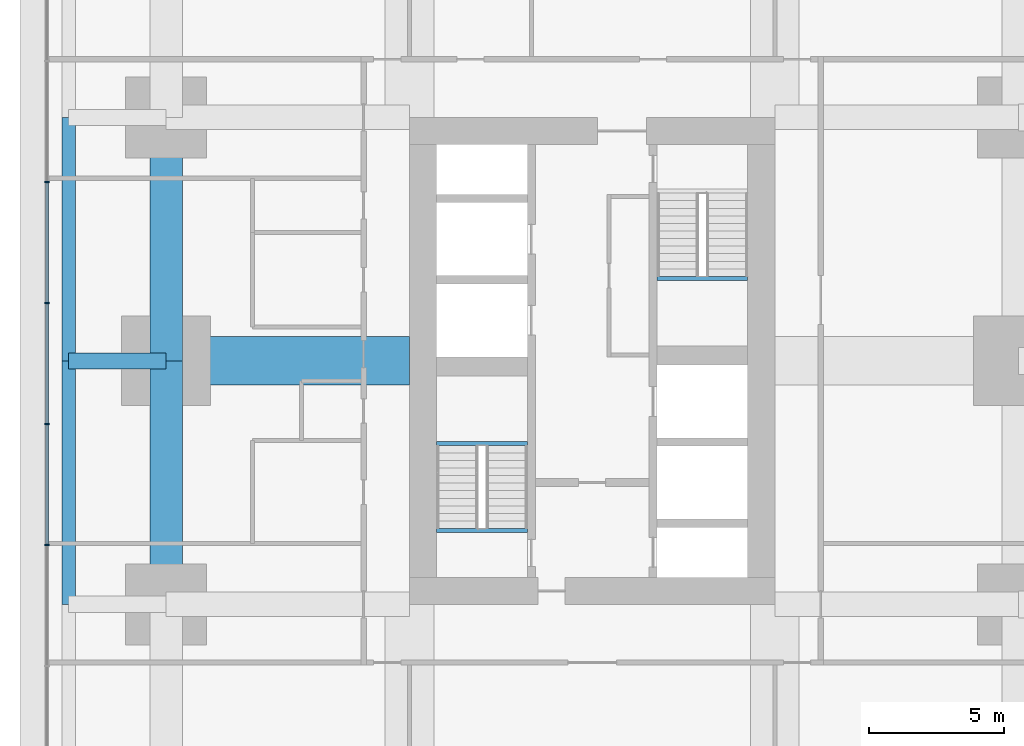
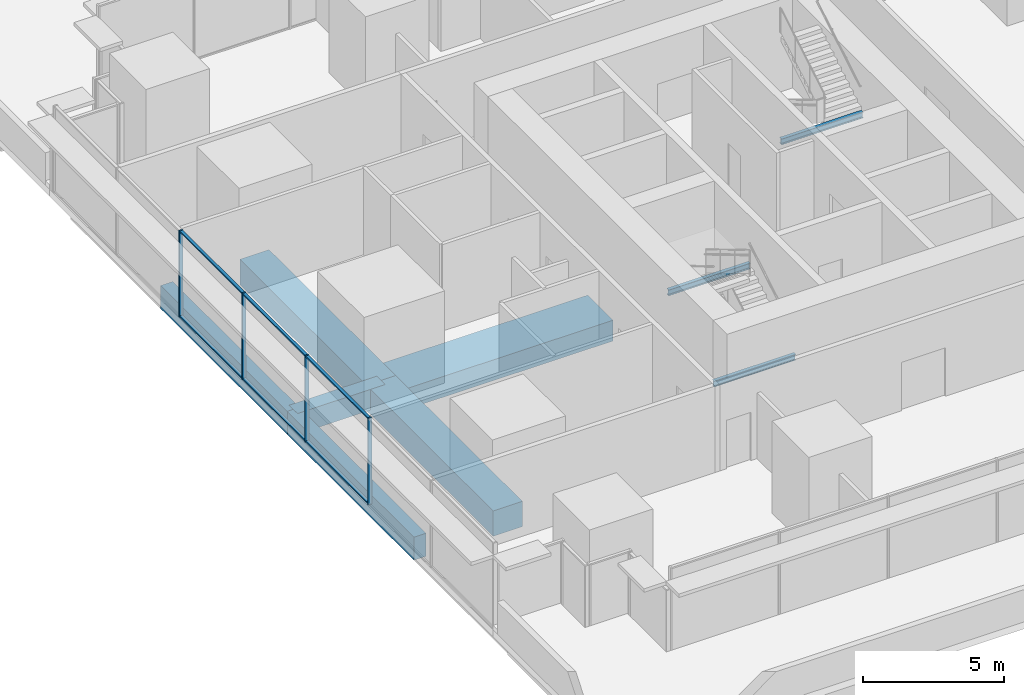
# One storey, part 4 of 34: 10 members, 9 beams, 1 element without a shape of its own.
"""IFC4 building model written with IfcOpenShell, lengths in metres."""

from ifc_helpers import new_model, si_unit, direction, frame, origin, origin_2d, place, context, subcontext, project, spatial, rectangle, i_section, extrude, material, layer, layer_set, material_profile, profile_set, type_object, element, aggregate, save


model = new_model("IFC4")

# Units and contexts
model_context = context("Model", 3, precision=1e-05, world=origin(), true_north=direction((0.0, 1.0)))
body_context = subcontext(model_context, "Body", "Model", "MODEL_VIEW")
ifc_project = project(units=[si_unit("LENGTHUNIT", "METRE"), si_unit("AREAUNIT", "SQUARE_METRE"), si_unit("VOLUMEUNIT", "CUBIC_METRE"), si_unit("PLANEANGLEUNIT", "RADIAN"), si_unit("MASSUNIT", "GRAM", prefix="KILO")], contexts=[model_context])

# Site, building, storey
site_placement = place(None, origin())
site = spatial("IfcSite", under=ifc_project, at=site_placement, CompositionType="ELEMENT")
building_placement = place(site_placement, origin())
building = spatial("IfcBuilding", under=site, at=building_placement, Name="Namib Vertical Campus", CompositionType="ELEMENT")
storey_placement = place(building_placement, frame((0.0, 0.0, 21.0)))
storey = spatial("IfcBuildingStorey", under=building, at=storey_placement, Name="L04", CompositionType="ELEMENT", Elevation=21.0)

# Beam
ifc_material_1 = material(Name="Concrete C40/50", Category="concrete")
ifc_material_profile_1 = material_profile(ifc_material_1, rectangle(XDim=0.60009765625, YDim=0.89990234375, at=origin_2d()))
ifc_profile_set_1 = profile_set([ifc_material_profile_1], Name="Concrete C40/50")
beam_type_1 = type_object("IfcBeamType", Name="Cantilever girder RC 600x900", PredefinedType="BEAM", material=ifc_profile_set_1)
beam_1_placement = place(storey_placement, frame((4.5, 20.25, -0.75), z_axis=(-1.0, 0.0, 0.0), x_axis=(0.0, -1.0, 0.0)))
element("IfcBeam", 1, at=beam_1_placement, inside=storey, type_object=beam_type_1, Name="Beam B3 L04", PredefinedType="BEAM", context=body_context, shape_type="SweptSolid", body=[
    extrude(rectangle(XDim=0.60009765625, YDim=0.89990234375, at=origin_2d()), origin(), (0.0, 0.0, 1.0), 3.60009765625),
])

# Curtain wall, members
ifc_material_2 = material(Name="Black aluminium curtain wall", Category="aluminium")
ifc_layer = layer(ifc_material_2, 0.199951171875)
ifc_layer_set = layer_set([ifc_layer], Name="Lounge curtain wall CW-L4")
curtain_wall_type = type_object("IfcCurtainWallType", Name="Lounge curtain wall CW-L4", PredefinedType="USERDEFINED", material=ifc_layer_set)
curtain_wall_placement = place(storey_placement, origin())
curtain_wall = element("IfcCurtainWall", 2, at=curtain_wall_placement, inside=storey, type_object=curtain_wall_type, Name="Curtain wall CW-L4 L04 F16-1", ObjectType="CURTAIN WALL", PredefinedType="USERDEFINED")
ifc_material_3 = material(Name="Black anodised aluminium", Category="aluminium")
ifc_material_profile_2 = material_profile(ifc_material_3, rectangle(XDim=0.06005859375, YDim=0.159912109375, at=origin_2d()))
ifc_profile_set_2 = profile_set([ifc_material_profile_2], Name="Black anodised aluminium")
member_type_1 = type_object("IfcMemberType", Name="Curtain wall mullion 60x160", PredefinedType="MULLION", material=ifc_profile_set_2)
member_1_placement = place(storey_placement, frame((0.10009765625, 26.857177734375, 0.0), z_axis=(0.0, 0.0, 1.0), x_axis=(0.0, -1.0, 0.0)))
member_1 = element("IfcMember", 3, at=member_1_placement, type_object=member_type_1, Name="CW-L4 mullion 3", PredefinedType="MULLION", context=body_context, shape_type="SweptSolid", body=[
    extrude(rectangle(XDim=0.06005859375, YDim=0.159912109375, at=origin_2d()), origin(), (0.0, 0.0, 1.0), 3.75),
])
member_2_placement = place(storey_placement, frame((0.10009765625, 22.3857421875, 0.0), z_axis=(0.0, 0.0, 1.0), x_axis=(0.0, -1.0, 0.0)))
member_2 = element("IfcMember", 4, at=member_2_placement, type_object=member_type_1, Name="CW-L4 mullion 4", PredefinedType="MULLION", context=body_context, shape_type="SweptSolid", body=[
    extrude(rectangle(XDim=0.06005859375, YDim=0.159912109375, at=origin_2d()), origin(), (0.0, 0.0, 1.0), 3.75),
])
member_3_placement = place(storey_placement, frame((0.10009765625, 17.914306640625, 0.0), z_axis=(0.0, 0.0, 1.0), x_axis=(0.0, -1.0, 0.0)))
member_3 = element("IfcMember", 5, at=member_3_placement, type_object=member_type_1, Name="CW-L4 mullion 5", PredefinedType="MULLION", context=body_context, shape_type="SweptSolid", body=[
    extrude(rectangle(XDim=0.06005859375, YDim=0.159912109375, at=origin_2d()), origin(), (0.0, 0.0, 1.0), 3.75),
])
member_4_placement = place(storey_placement, frame((0.10009765625, 13.44287109375, 0.0), z_axis=(0.0, 0.0, 1.0), x_axis=(0.0, -1.0, 0.0)))
member_4 = element("IfcMember", 6, at=member_4_placement, type_object=member_type_1, Name="CW-L4 mullion 6", PredefinedType="MULLION", context=body_context, shape_type="SweptSolid", body=[
    extrude(rectangle(XDim=0.06005859375, YDim=0.159912109375, at=origin_2d()), origin(), (0.0, 0.0, 1.0), 3.75),
])
ifc_material_4 = material(Name="Black anodised aluminium", Category="aluminium")
ifc_material_profile_3 = material_profile(ifc_material_4, rectangle(XDim=0.06005859375, YDim=0.1201171875, at=origin_2d()))
ifc_profile_set_3 = profile_set([ifc_material_profile_3], Name="Black anodised aluminium")
member_type_2 = type_object("IfcMemberType", Name="Curtain wall transom 60x120", PredefinedType="USERDEFINED", material=ifc_profile_set_3)
member_5_placement = place(storey_placement, frame((0.10009765625, 26.8271484375, 0.030029296875), z_axis=(0.0, -1.0, 0.0), x_axis=(0.0, 0.0, 1.0)))
member_5 = element("IfcMember", 7, at=member_5_placement, type_object=member_type_2, Name="CW-L4 transom 3.1", ObjectType="TRANSOM", PredefinedType="USERDEFINED", context=body_context, shape_type="SweptSolid", body=[
    extrude(rectangle(XDim=0.06005859375, YDim=0.1201171875, at=origin_2d()), origin(), (0.0, 0.0, 1.0), 4.411376953125),
])
member_6_placement = place(storey_placement, frame((0.10009765625, 26.8271484375, 3.719970703125), z_axis=(0.0, -1.0, 0.0), x_axis=(0.0, 0.0, 1.0)))
member_6 = element("IfcMember", 8, at=member_6_placement, type_object=member_type_2, Name="CW-L4 transom 3.2", ObjectType="TRANSOM", PredefinedType="USERDEFINED", context=body_context, shape_type="SweptSolid", body=[
    extrude(rectangle(XDim=0.06005859375, YDim=0.1201171875, at=origin_2d()), origin(), (0.0, 0.0, 1.0), 4.411376953125),
])
member_7_placement = place(storey_placement, frame((0.10009765625, 22.355712890625, 0.030029296875), z_axis=(0.0, -1.0, 0.0), x_axis=(0.0, 0.0, 1.0)))
member_7 = element("IfcMember", 9, at=member_7_placement, type_object=member_type_2, Name="CW-L4 transom 4.1", ObjectType="TRANSOM", PredefinedType="USERDEFINED", context=body_context, shape_type="SweptSolid", body=[
    extrude(rectangle(XDim=0.06005859375, YDim=0.1201171875, at=origin_2d()), origin(), (0.0, 0.0, 1.0), 4.411376953125),
])
member_8_placement = place(storey_placement, frame((0.10009765625, 22.355712890625, 3.719970703125), z_axis=(0.0, -1.0, 0.0), x_axis=(0.0, 0.0, 1.0)))
member_8 = element("IfcMember", 10, at=member_8_placement, type_object=member_type_2, Name="CW-L4 transom 4.2", ObjectType="TRANSOM", PredefinedType="USERDEFINED", context=body_context, shape_type="SweptSolid", body=[
    extrude(rectangle(XDim=0.06005859375, YDim=0.1201171875, at=origin_2d()), origin(), (0.0, 0.0, 1.0), 4.411376953125),
])
member_9_placement = place(storey_placement, frame((0.10009765625, 17.88427734375, 0.030029296875), z_axis=(0.0, -1.0, 0.0), x_axis=(0.0, 0.0, 1.0)))
member_9 = element("IfcMember", 11, at=member_9_placement, type_object=member_type_2, Name="CW-L4 transom 5.1", ObjectType="TRANSOM", PredefinedType="USERDEFINED", context=body_context, shape_type="SweptSolid", body=[
    extrude(rectangle(XDim=0.06005859375, YDim=0.1201171875, at=origin_2d()), origin(), (0.0, 0.0, 1.0), 4.411376953125),
])
member_10_placement = place(storey_placement, frame((0.10009765625, 17.88427734375, 3.719970703125), z_axis=(0.0, -1.0, 0.0), x_axis=(0.0, 0.0, 1.0)))
member_10 = element("IfcMember", 12, at=member_10_placement, type_object=member_type_2, Name="CW-L4 transom 5.2", ObjectType="TRANSOM", PredefinedType="USERDEFINED", context=body_context, shape_type="SweptSolid", body=[
    extrude(rectangle(XDim=0.06005859375, YDim=0.1201171875, at=origin_2d()), origin(), (0.0, 0.0, 1.0), 4.411376953125),
])
aggregate(curtain_wall, [member_1, member_2, member_3, member_4, member_5, member_6, member_7, member_8, member_9, member_10])

# Beams
ifc_material_5 = material(Name="Concrete C40/50", Category="concrete")
ifc_material_profile_4 = material_profile(ifc_material_5, rectangle(XDim=1.199951171875, YDim=1.10009765625, at=origin_2d()))
ifc_profile_set_4 = profile_set([ifc_material_profile_4], Name="Concrete C40/50")
beam_type_2 = type_object("IfcBeamType", Name="Face ring beam RC 1200x1100", PredefinedType="BEAM", material=ifc_profile_set_4)
for number, where, z_axis, x_axis, name in (
    (13, (4.5, 11.25, -0.85009765625), (0.0, 1.0, 0.0), (-1.0, 0.0, 0.0), "Beam B11 L04"),
    (14, (4.5, 20.25, -0.85009765625), (0.0, 1.0, 0.0), (-1.0, 0.0, 0.0), "Beam B11 L04"),
):
    element("IfcBeam", number, at=place(storey_placement, frame(where, z_axis=z_axis, x_axis=x_axis)), inside=storey, type_object=beam_type_2, Name=name, PredefinedType="BEAM", context=body_context, shape_type="SweptSolid", body=[
        extrude(rectangle(XDim=1.199951171875, YDim=1.10009765625, at=origin_2d()), origin(), (0.0, 0.0, 1.0), 9.0),
    ])
ifc_material_6 = material(Name="Steel S355JR", Category="steel")
ifc_material_profile_5 = material_profile(ifc_material_6, i_section(OverallWidth=0.14599609375, OverallDepth=0.25146484375, WebThickness=0.006103515625, FlangeThickness=0.008544921875, FilletRadius=0.007568359375, at=origin_2d()))
ifc_profile_set_5 = profile_set([ifc_material_profile_5], Name="Steel S355JR")
beam_type_3 = type_object("IfcBeamType", Name="Landing trimmer UB 254x146x31", PredefinedType="BEAM", material=ifc_profile_set_5)
for number, where, z_axis, x_axis, name in (
    (15, (14.5, 13.97705078125, -0.125732421875), (1.0, 0.0, 0.0), (0.0, 1.0, 0.0), "Landing trimmer LT1 A-S1 L04 1"),
    (16, (14.5, 17.203125, 1.874267578125), (1.0, 0.0, 0.0), (0.0, 1.0, 0.0), "Landing trimmer LT1 A-S1 L04 2"),
    (17, (22.64990234375, 23.296875, 1.874267578125), (1.0, 0.0, 0.0), (0.0, 1.0, 0.0), "Landing trimmer LT1 A-S2 L04 2"),
):
    element("IfcBeam", number, at=place(storey_placement, frame(where, z_axis=z_axis, x_axis=x_axis)), inside=storey, type_object=beam_type_3, Name=name, PredefinedType="BEAM", context=body_context, shape_type="SweptSolid", body=[
        extrude(i_section(OverallWidth=0.14599609375, OverallDepth=0.25146484375, WebThickness=0.006103515625, FlangeThickness=0.008544921875, FilletRadius=0.007568359375, at=origin_2d()), origin(), (0.0, 0.0, 1.0), 3.35009765625),
    ])
ifc_material_7 = material(Name="Concrete C40/50", Category="concrete")
ifc_material_profile_6 = material_profile(ifc_material_7, rectangle(XDim=1.800048828125, YDim=0.89990234375, at=origin_2d()))
ifc_profile_set_6 = profile_set([ifc_material_profile_6], Name="Concrete C40/50")
beam_type_4 = type_object("IfcBeamType", Name="Outrigger line girder RC 1800x900", PredefinedType="BEAM", material=ifc_profile_set_6)
beam_2_placement = place(storey_placement, frame((4.5, 20.25, -0.75), z_axis=(1.0, 0.0, 0.0), x_axis=(0.0, 1.0, 0.0)))
element("IfcBeam", 18, at=beam_2_placement, inside=storey, type_object=beam_type_4, Name="Beam B12 L04", PredefinedType="BEAM", context=body_context, shape_type="SweptSolid", body=[
    extrude(rectangle(XDim=1.800048828125, YDim=0.89990234375, at=origin_2d()), origin(), (0.0, 0.0, 1.0), 9.0),
])
ifc_material_8 = material(Name="Concrete C40/50", Category="concrete")
ifc_material_profile_7 = material_profile(ifc_material_8, rectangle(XDim=0.5, YDim=1.0, at=origin_2d()))
ifc_profile_set_7 = profile_set([ifc_material_profile_7], Name="Concrete C40/50")
beam_type_5 = type_object("IfcBeamType", Name="Podium roof edge beam RC 500x1000", PredefinedType="SPANDREL", material=ifc_profile_set_7)
for number, where, z_axis, x_axis, name in (
    (19, (0.89990234375, 11.25, -0.800048828125), (0.0, 1.0, 0.0), (-1.0, 0.0, 0.0), "Beam B8 L04"),
    (20, (0.89990234375, 20.25, -0.800048828125), (0.0, 1.0, 0.0), (-1.0, 0.0, 0.0), "Beam B8 L04"),
):
    element("IfcBeam", number, at=place(storey_placement, frame(where, z_axis=z_axis, x_axis=x_axis)), inside=storey, type_object=beam_type_5, Name=name, PredefinedType="SPANDREL", context=body_context, shape_type="SweptSolid", body=[
        extrude(rectangle(XDim=0.5, YDim=1.0, at=origin_2d()), origin(), (0.0, 0.0, 1.0), 9.0),
    ])

save(model, "model.ifc")
